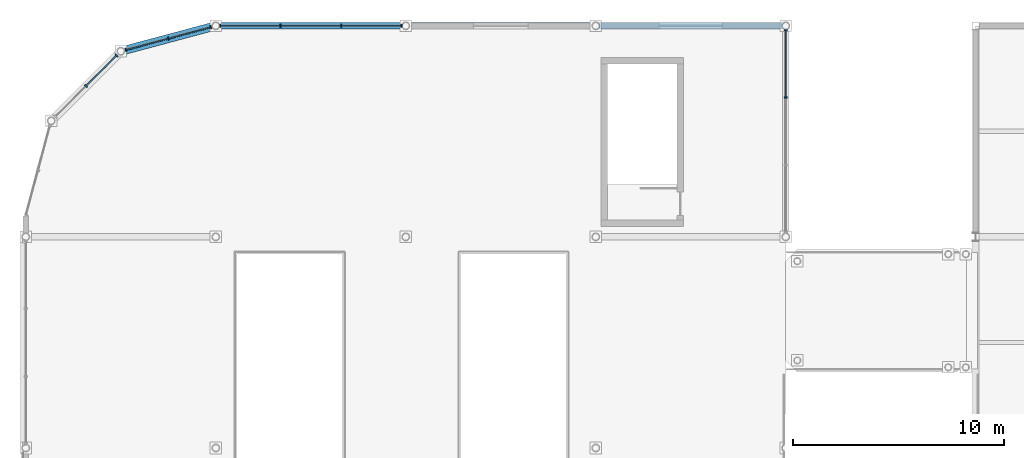
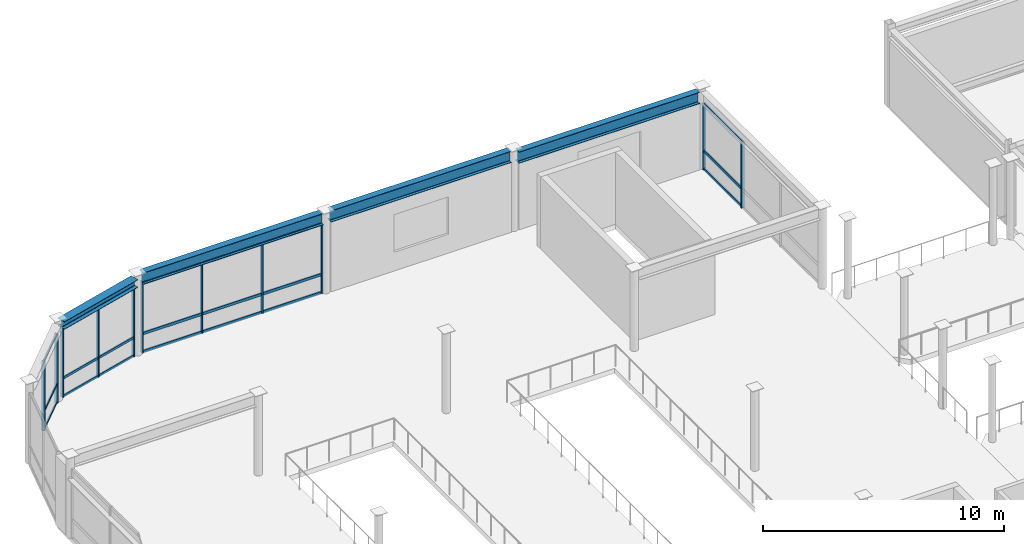
# One storey, part 24 of 53: 32 members, 4 beams, 4 elements without a shape of their own.
"""IFC4 building model written with IfcOpenShell, lengths in metres."""

from ifc_helpers import new_model, si_unit, direction, frame, origin, origin_2d, place, context, subcontext, project, spatial, rectangle, i_section, extrude, material, material_profile, profile_set, type_object, element, aggregate, save


model = new_model("IFC4")

# Units and contexts
model_context = context("Model", 3, precision=1e-05, world=origin(), true_north=direction((0.0, 1.0)))
body_context = subcontext(model_context, "Body", "Model", "MODEL_VIEW")
ifc_project = project(units=[si_unit("LENGTHUNIT", "METRE"), si_unit("AREAUNIT", "SQUARE_METRE"), si_unit("VOLUMEUNIT", "CUBIC_METRE"), si_unit("PLANEANGLEUNIT", "RADIAN"), si_unit("MASSUNIT", "GRAM", prefix="KILO")], contexts=[model_context])

# Site, building, storey
site_placement = place(None, origin())
site = spatial("IfcSite", under=ifc_project, at=site_placement, CompositionType="ELEMENT")
building_placement = place(site_placement, origin())
building = spatial("IfcBuilding", under=site, at=building_placement, Name="Suzunagisa Mobility Hub", CompositionType="ELEMENT")
storey_placement = place(building_placement, frame((0.0, 0.0, 17.699951171875)))
storey = spatial("IfcBuildingStorey", under=building, at=storey_placement, Name="L04", CompositionType="ELEMENT", Elevation=17.699951171875)

# Curtain wall, members
ifc_material_1 = material(Name="Thermally Broken Anodized Aluminum and Low-E Glazing", Category="aluminium")
curtain_wall_type_1 = type_object("IfcCurtainWallType", Name="Unitised Curtain Wall CW-05 9750x3400", PredefinedType="USERDEFINED", material=ifc_material_1)
curtain_wall_1_placement = place(storey_placement, origin())
curtain_wall_1 = element("IfcCurtainWall", 1, at=curtain_wall_1_placement, inside=storey, type_object=curtain_wall_type_1, Name="L04 Unitised Curtain Wall CW-85", ObjectType="UNITISED CURTAIN WALL", PredefinedType="USERDEFINED")
ifc_material_2 = material(Name="Anodized Aluminum 6063-T6", Category="aluminium")
ifc_material_profile_1 = material_profile(ifc_material_2, rectangle(XDim=0.06494140625, YDim=0.139892578125, at=origin_2d()), Name="TRAN-65x140")
ifc_profile_set_1 = profile_set([ifc_material_profile_1], Name="Anodized Aluminum 6063-T6")
member_type_1 = type_object("IfcMemberType", Name="Curtain Wall Framing CM-01 TRAN-65x140", PredefinedType="USERDEFINED", material=ifc_profile_set_1)
member_1_placement = place(storey_placement, frame((36.0, 114.635498046875, 0.032470703125), z_axis=(0.0, 1.0, 0.0), x_axis=(-1.0, 0.0, 0.0)))
member_1 = element("IfcMember", 2, at=member_1_placement, type_object=member_type_1, Name="Curtain Wall Transom 85-T3.1", ObjectType="TRANSOM", PredefinedType="USERDEFINED", context=body_context, shape_type="SweptSolid", body=[
    extrude(rectangle(XDim=0.06494140625, YDim=0.139892578125, at=origin_2d()), origin(), (0.0, 0.0, 1.0), 3.128662109375),
])
member_2_placement = place(storey_placement, frame((36.0, 114.635498046875, 0.949951171875), z_axis=(0.0, 1.0, 0.0), x_axis=(-1.0, 0.0, 0.0)))
member_2 = element("IfcMember", 3, at=member_2_placement, type_object=member_type_1, Name="Curtain Wall Transom 85-T3.2", ObjectType="TRANSOM", PredefinedType="USERDEFINED", context=body_context, shape_type="SweptSolid", body=[
    extrude(rectangle(XDim=0.06494140625, YDim=0.139892578125, at=origin_2d()), origin(), (0.0, 0.0, 1.0), 3.128662109375),
])
member_3_placement = place(storey_placement, frame((36.0, 114.635498046875, 3.319580078125), z_axis=(0.0, 1.0, 0.0), x_axis=(-1.0, 0.0, 0.0)))
member_3 = element("IfcMember", 4, at=member_3_placement, type_object=member_type_1, Name="Curtain Wall Transom 85-T3.3", ObjectType="TRANSOM", PredefinedType="USERDEFINED", context=body_context, shape_type="SweptSolid", body=[
    extrude(rectangle(XDim=0.06494140625, YDim=0.139892578125, at=origin_2d()), origin(), (0.0, 0.0, 1.0), 3.128662109375),
])

curtain_wall_type_2 = type_object("IfcCurtainWallType", Name="Unitised Curtain Wall CW-15 8750x3500", PredefinedType="USERDEFINED", material=ifc_material_1)
curtain_wall_2_placement = place(storey_placement, origin())
curtain_wall_2 = element("IfcCurtainWall", 5, at=curtain_wall_2_placement, inside=storey, type_object=curtain_wall_type_2, Name="L04 Unitised Curtain Wall CW-86", ObjectType="UNITISED CURTAIN WALL", PredefinedType="USERDEFINED")
member_4_placement = place(storey_placement, frame((17.76416015625, 118.0, 0.032470703125), z_axis=(-1.0, 0.0, 0.0), x_axis=(0.0, -1.0, 0.0)))
member_4 = element("IfcMember", 6, at=member_4_placement, type_object=member_type_1, Name="Curtain Wall Transom 86-T1.1", ObjectType="TRANSOM", PredefinedType="USERDEFINED", context=body_context, shape_type="SweptSolid", body=[
    extrude(rectangle(XDim=0.06494140625, YDim=0.139892578125, at=origin_2d()), origin(), (0.0, 0.0, 1.0), 2.79541015625),
])
member_5_placement = place(storey_placement, frame((17.76416015625, 118.0, 0.949951171875), z_axis=(-1.0, 0.0, 0.0), x_axis=(0.0, -1.0, 0.0)))
member_5 = element("IfcMember", 7, at=member_5_placement, type_object=member_type_1, Name="Curtain Wall Transom 86-T1.2", ObjectType="TRANSOM", PredefinedType="USERDEFINED", context=body_context, shape_type="SweptSolid", body=[
    extrude(rectangle(XDim=0.06494140625, YDim=0.139892578125, at=origin_2d()), origin(), (0.0, 0.0, 1.0), 2.79541015625),
])
member_6_placement = place(storey_placement, frame((17.76416015625, 118.0, 3.49365234375), z_axis=(-1.0, 0.0, 0.0), x_axis=(0.0, -1.0, 0.0)))
member_6 = element("IfcMember", 8, at=member_6_placement, type_object=member_type_1, Name="Curtain Wall Transom 86-T1.3", ObjectType="TRANSOM", PredefinedType="USERDEFINED", context=body_context, shape_type="SweptSolid", body=[
    extrude(rectangle(XDim=0.06494140625, YDim=0.139892578125, at=origin_2d()), origin(), (0.0, 0.0, 1.0), 2.79541015625),
])
member_7_placement = place(storey_placement, frame((14.91259765625, 118.0, 0.032470703125), z_axis=(-1.0, 0.0, 0.0), x_axis=(0.0, -1.0, 0.0)))
member_7 = element("IfcMember", 9, at=member_7_placement, type_object=member_type_1, Name="Curtain Wall Transom 86-T2.1", ObjectType="TRANSOM", PredefinedType="USERDEFINED", context=body_context, shape_type="SweptSolid", body=[
    extrude(rectangle(XDim=0.06494140625, YDim=0.139892578125, at=origin_2d()), origin(), (0.0, 0.0, 1.0), 2.8251953125),
])
member_8_placement = place(storey_placement, frame((14.91259765625, 118.0, 0.949951171875), z_axis=(-1.0, 0.0, 0.0), x_axis=(0.0, -1.0, 0.0)))
member_8 = element("IfcMember", 10, at=member_8_placement, type_object=member_type_1, Name="Curtain Wall Transom 86-T2.2", ObjectType="TRANSOM", PredefinedType="USERDEFINED", context=body_context, shape_type="SweptSolid", body=[
    extrude(rectangle(XDim=0.06494140625, YDim=0.139892578125, at=origin_2d()), origin(), (0.0, 0.0, 1.0), 2.8251953125),
])
member_9_placement = place(storey_placement, frame((14.91259765625, 118.0, 3.49365234375), z_axis=(-1.0, 0.0, 0.0), x_axis=(0.0, -1.0, 0.0)))
member_9 = element("IfcMember", 11, at=member_9_placement, type_object=member_type_1, Name="Curtain Wall Transom 86-T2.3", ObjectType="TRANSOM", PredefinedType="USERDEFINED", context=body_context, shape_type="SweptSolid", body=[
    extrude(rectangle(XDim=0.06494140625, YDim=0.139892578125, at=origin_2d()), origin(), (0.0, 0.0, 1.0), 2.8251953125),
])
member_10_placement = place(storey_placement, frame((12.03125, 118.0, 0.032470703125), z_axis=(-1.0, 0.0, 0.0), x_axis=(0.0, -1.0, 0.0)))
member_10 = element("IfcMember", 12, at=member_10_placement, type_object=member_type_1, Name="Curtain Wall Transom 86-T3.1", ObjectType="TRANSOM", PredefinedType="USERDEFINED", context=body_context, shape_type="SweptSolid", body=[
    extrude(rectangle(XDim=0.06494140625, YDim=0.139892578125, at=origin_2d()), origin(), (0.0, 0.0, 1.0), 2.79541015625),
])
member_11_placement = place(storey_placement, frame((12.03125, 118.0, 0.949951171875), z_axis=(-1.0, 0.0, 0.0), x_axis=(0.0, -1.0, 0.0)))
member_11 = element("IfcMember", 13, at=member_11_placement, type_object=member_type_1, Name="Curtain Wall Transom 86-T3.2", ObjectType="TRANSOM", PredefinedType="USERDEFINED", context=body_context, shape_type="SweptSolid", body=[
    extrude(rectangle(XDim=0.06494140625, YDim=0.139892578125, at=origin_2d()), origin(), (0.0, 0.0, 1.0), 2.79541015625),
])
member_12_placement = place(storey_placement, frame((12.03125, 118.0, 3.49365234375), z_axis=(-1.0, 0.0, 0.0), x_axis=(0.0, -1.0, 0.0)))
member_12 = element("IfcMember", 14, at=member_12_placement, type_object=member_type_1, Name="Curtain Wall Transom 86-T3.3", ObjectType="TRANSOM", PredefinedType="USERDEFINED", context=body_context, shape_type="SweptSolid", body=[
    extrude(rectangle(XDim=0.06494140625, YDim=0.139892578125, at=origin_2d()), origin(), (0.0, 0.0, 1.0), 2.79541015625),
])

curtain_wall_type_3 = type_object("IfcCurtainWallType", Name="Unitised Curtain Wall CW-24 4250x3500", PredefinedType="USERDEFINED", material=ifc_material_1)
curtain_wall_3_placement = place(storey_placement, origin())
curtain_wall_3 = element("IfcCurtainWall", 15, at=curtain_wall_3_placement, inside=storey, type_object=curtain_wall_type_3, Name="L04 Unitised Curtain Wall CW-87", ObjectType="UNITISED CURTAIN WALL", PredefinedType="USERDEFINED")
ifc_material_profile_2 = material_profile(ifc_material_2, rectangle(XDim=0.06005859375, YDim=0.1201171875, at=origin_2d()), Name="TRAN-60x120")
ifc_profile_set_2 = profile_set([ifc_material_profile_2], Name="Anodized Aluminum 6063-T6")
member_type_2 = type_object("IfcMemberType", Name="Curtain Wall Framing CM-02 TRAN-60x120", PredefinedType="USERDEFINED", material=ifc_profile_set_2)
member_13_placement = place(storey_placement, frame((8.733642578125, 117.9287109375, 0.030029296875), z_axis=(-0.965906081949, -0.258892720742, 0.0), x_axis=(0.258892720742, -0.965906081949, 0.0)))
member_13 = element("IfcMember", 16, at=member_13_placement, type_object=member_type_2, Name="Curtain Wall Transom 87-T1.1", ObjectType="TRANSOM", PredefinedType="USERDEFINED", context=body_context, shape_type="SweptSolid", body=[
    extrude(rectangle(XDim=0.06005859375, YDim=0.1201171875, at=origin_2d()), origin(), (0.0, 0.0, 1.0), 2.025634765625),
])
member_14_placement = place(storey_placement, frame((8.733642578125, 117.9287109375, 0.949951171875), z_axis=(-0.965906081949, -0.258892720742, 0.0), x_axis=(0.258892720742, -0.965906081949, 0.0)))
member_14 = element("IfcMember", 17, at=member_14_placement, type_object=member_type_2, Name="Curtain Wall Transom 87-T1.2", ObjectType="TRANSOM", PredefinedType="USERDEFINED", context=body_context, shape_type="SweptSolid", body=[
    extrude(rectangle(XDim=0.06005859375, YDim=0.1201171875, at=origin_2d()), origin(), (0.0, 0.0, 1.0), 2.025634765625),
])
member_15_placement = place(storey_placement, frame((8.733642578125, 117.9287109375, 3.510009765625), z_axis=(-0.965906081949, -0.258892720742, 0.0), x_axis=(0.258892720742, -0.965906081949, 0.0)))
member_15 = element("IfcMember", 18, at=member_15_placement, type_object=member_type_2, Name="Curtain Wall Transom 87-T1.3", ObjectType="TRANSOM", PredefinedType="USERDEFINED", context=body_context, shape_type="SweptSolid", body=[
    extrude(rectangle(XDim=0.06005859375, YDim=0.1201171875, at=origin_2d()), origin(), (0.0, 0.0, 1.0), 2.025634765625),
])
member_16_placement = place(storey_placement, frame((6.722900390625, 117.389892578125, 0.030029296875), z_axis=(-0.965906081949, -0.258892720742, 0.0), x_axis=(0.258892720742, -0.965906081949, 0.0)))
member_16 = element("IfcMember", 19, at=member_16_placement, type_object=member_type_2, Name="Curtain Wall Transom 87-T2.1", ObjectType="TRANSOM", PredefinedType="USERDEFINED", context=body_context, shape_type="SweptSolid", body=[
    extrude(rectangle(XDim=0.06005859375, YDim=0.1201171875, at=origin_2d()), origin(), (0.0, 0.0, 1.0), 2.025634765625),
])
member_17_placement = place(storey_placement, frame((6.722900390625, 117.389892578125, 0.949951171875), z_axis=(-0.965906081949, -0.258892720742, 0.0), x_axis=(0.258892720742, -0.965906081949, 0.0)))
member_17 = element("IfcMember", 20, at=member_17_placement, type_object=member_type_2, Name="Curtain Wall Transom 87-T2.2", ObjectType="TRANSOM", PredefinedType="USERDEFINED", context=body_context, shape_type="SweptSolid", body=[
    extrude(rectangle(XDim=0.06005859375, YDim=0.1201171875, at=origin_2d()), origin(), (0.0, 0.0, 1.0), 2.025634765625),
])
member_18_placement = place(storey_placement, frame((6.722900390625, 117.389892578125, 3.510009765625), z_axis=(-0.965906081949, -0.258892720742, 0.0), x_axis=(0.258892720742, -0.965906081949, 0.0)))
member_18 = element("IfcMember", 21, at=member_18_placement, type_object=member_type_2, Name="Curtain Wall Transom 87-T2.3", ObjectType="TRANSOM", PredefinedType="USERDEFINED", context=body_context, shape_type="SweptSolid", body=[
    extrude(rectangle(XDim=0.06005859375, YDim=0.1201171875, at=origin_2d()), origin(), (0.0, 0.0, 1.0), 2.025634765625),
])

curtain_wall_4_placement = place(storey_placement, origin())
curtain_wall_4 = element("IfcCurtainWall", 22, at=curtain_wall_4_placement, inside=storey, type_object=curtain_wall_type_3, Name="L04 Unitised Curtain Wall CW-88", ObjectType="UNITISED CURTAIN WALL", PredefinedType="USERDEFINED")
member_19_placement = place(storey_placement, frame((4.28125, 116.575439453125, 0.030029296875), z_axis=(-0.707106781187, -0.707106781187, 0.0), x_axis=(0.707106781187, -0.707106781187, 0.0)))
member_19 = element("IfcMember", 23, at=member_19_placement, type_object=member_type_2, Name="Curtain Wall Transom 88-T1.1", ObjectType="TRANSOM", PredefinedType="USERDEFINED", context=body_context, shape_type="SweptSolid", body=[
    extrude(rectangle(XDim=0.06005859375, YDim=0.1201171875, at=origin_2d()), origin(), (0.0, 0.0, 1.0), 1.991943359375),
])
member_20_placement = place(storey_placement, frame((4.28125, 116.575439453125, 0.949951171875), z_axis=(-0.707106781187, -0.707106781187, 0.0), x_axis=(0.707106781187, -0.707106781187, 0.0)))
member_20 = element("IfcMember", 24, at=member_20_placement, type_object=member_type_2, Name="Curtain Wall Transom 88-T1.2", ObjectType="TRANSOM", PredefinedType="USERDEFINED", context=body_context, shape_type="SweptSolid", body=[
    extrude(rectangle(XDim=0.06005859375, YDim=0.1201171875, at=origin_2d()), origin(), (0.0, 0.0, 1.0), 1.991943359375),
])
member_21_placement = place(storey_placement, frame((4.28125, 116.575439453125, 3.510009765625), z_axis=(-0.707106781187, -0.707106781187, 0.0), x_axis=(0.707106781187, -0.707106781187, 0.0)))
member_21 = element("IfcMember", 25, at=member_21_placement, type_object=member_type_2, Name="Curtain Wall Transom 88-T1.3", ObjectType="TRANSOM", PredefinedType="USERDEFINED", context=body_context, shape_type="SweptSolid", body=[
    extrude(rectangle(XDim=0.06005859375, YDim=0.1201171875, at=origin_2d()), origin(), (0.0, 0.0, 1.0), 1.991943359375),
])

# Member
ifc_material_profile_3 = material_profile(ifc_material_2, rectangle(XDim=0.06005859375, YDim=0.14990234375, at=origin_2d()), Name="MULL-60x150")
ifc_profile_set_3 = profile_set([ifc_material_profile_3], Name="Anodized Aluminum 6063-T6")
member_type_3 = type_object("IfcMemberType", Name="Curtain Wall Framing CM-03 MULL-60x150", PredefinedType="MULLION", material=ifc_profile_set_3)
member_22_placement = place(storey_placement, frame((36.0, 114.607421875, 0.0), z_axis=(0.0, 0.0, 1.0), x_axis=(0.0, 1.0, 0.0)))
member_22 = element("IfcMember", 26, at=member_22_placement, type_object=member_type_3, Name="Curtain Wall Mullion 85-M3", PredefinedType="MULLION", context=body_context, shape_type="SweptSolid", body=[
    extrude(rectangle(XDim=0.06005859375, YDim=0.14990234375, at=origin_2d()), origin(), (0.0, 0.0, 1.0), 3.35205078125),
])

member_23_placement = place(storey_placement, frame((36.0, 117.792236328125, 0.0), z_axis=(0.0, 0.0, 1.0), x_axis=(0.0, 1.0, 0.0)))
member_23 = element("IfcMember", 27, at=member_23_placement, type_object=member_type_3, Name="Curtain Wall Mullion 85-M4", PredefinedType="MULLION", context=body_context, shape_type="SweptSolid", body=[
    extrude(rectangle(XDim=0.06005859375, YDim=0.14990234375, at=origin_2d()), origin(), (0.0, 0.0, 1.0), 3.35205078125),
])

aggregate(curtain_wall_1, [member_22, member_23, member_1, member_2, member_3])

member_24_placement = place(storey_placement, frame((17.792236328125, 118.0, 0.0), z_axis=(0.0, 0.0, 1.0), x_axis=(-1.0, 0.0, 0.0)))
member_24 = element("IfcMember", 28, at=member_24_placement, type_object=member_type_3, Name="Curtain Wall Mullion 86-M1", PredefinedType="MULLION", context=body_context, shape_type="SweptSolid", body=[
    extrude(rectangle(XDim=0.06005859375, YDim=0.14990234375, at=origin_2d()), origin(), (0.0, 0.0, 1.0), 3.526123046875),
])

member_25_placement = place(storey_placement, frame((14.940673828125, 118.0, 0.0), z_axis=(0.0, 0.0, 1.0), x_axis=(-1.0, 0.0, 0.0)))
member_25 = element("IfcMember", 29, at=member_25_placement, type_object=member_type_3, Name="Curtain Wall Mullion 86-M2", PredefinedType="MULLION", context=body_context, shape_type="SweptSolid", body=[
    extrude(rectangle(XDim=0.06005859375, YDim=0.14990234375, at=origin_2d()), origin(), (0.0, 0.0, 1.0), 3.526123046875),
])

member_26_placement = place(storey_placement, frame((12.059326171875, 118.0, 0.0), z_axis=(0.0, 0.0, 1.0), x_axis=(-1.0, 0.0, 0.0)))
member_26 = element("IfcMember", 30, at=member_26_placement, type_object=member_type_3, Name="Curtain Wall Mullion 86-M3", PredefinedType="MULLION", context=body_context, shape_type="SweptSolid", body=[
    extrude(rectangle(XDim=0.06005859375, YDim=0.14990234375, at=origin_2d()), origin(), (0.0, 0.0, 1.0), 3.526123046875),
])

member_27_placement = place(storey_placement, frame((9.207763671875, 118.0, 0.0), z_axis=(0.0, 0.0, 1.0), x_axis=(-1.0, 0.0, 0.0)))
member_27 = element("IfcMember", 31, at=member_27_placement, type_object=member_type_3, Name="Curtain Wall Mullion 86-M4", PredefinedType="MULLION", context=body_context, shape_type="SweptSolid", body=[
    extrude(rectangle(XDim=0.06005859375, YDim=0.14990234375, at=origin_2d()), origin(), (0.0, 0.0, 1.0), 3.526123046875),
])

aggregate(curtain_wall_2, [member_24, member_25, member_26, member_27, member_4, member_5, member_6, member_7, member_8, member_9, member_10, member_11, member_12])

member_28_placement = place(storey_placement, frame((8.7607421875, 117.935791015625, 0.0), z_axis=(0.0, 0.0, 1.0), x_axis=(-0.965930084429, -0.258803152984, 0.0)))
member_28 = element("IfcMember", 32, at=member_28_placement, type_object=member_type_3, Name="Curtain Wall Mullion 87-M1", PredefinedType="MULLION", context=body_context, shape_type="SweptSolid", body=[
    extrude(rectangle(XDim=0.06005859375, YDim=0.14990234375, at=origin_2d()), origin(), (0.0, 0.0, 1.0), 3.5400390625),
])

member_29_placement = place(storey_placement, frame((6.75, 117.397216796875, 0.0), z_axis=(0.0, 0.0, 1.0), x_axis=(-0.965930084429, -0.258803152984, 0.0)))
member_29 = element("IfcMember", 33, at=member_29_placement, type_object=member_type_3, Name="Curtain Wall Mullion 87-M2", PredefinedType="MULLION", context=body_context, shape_type="SweptSolid", body=[
    extrude(rectangle(XDim=0.06005859375, YDim=0.14990234375, at=origin_2d()), origin(), (0.0, 0.0, 1.0), 3.5400390625),
])

member_30_placement = place(storey_placement, frame((4.7392578125, 116.8583984375, 0.0), z_axis=(0.0, 0.0, 1.0), x_axis=(-0.965930084429, -0.258803152984, 0.0)))
member_30 = element("IfcMember", 34, at=member_30_placement, type_object=member_type_3, Name="Curtain Wall Mullion 87-M3", PredefinedType="MULLION", context=body_context, shape_type="SweptSolid", body=[
    extrude(rectangle(XDim=0.06005859375, YDim=0.14990234375, at=origin_2d()), origin(), (0.0, 0.0, 1.0), 3.5400390625),
])

aggregate(curtain_wall_3, [member_28, member_29, member_30, member_13, member_14, member_15, member_16, member_17, member_18])

member_31_placement = place(storey_placement, frame((4.301025390625, 116.59521484375, 0.0), z_axis=(0.0, 0.0, 1.0), x_axis=(-0.707106781187, -0.707106781187, 0.0)))
member_31 = element("IfcMember", 35, at=member_31_placement, type_object=member_type_3, Name="Curtain Wall Mullion 88-M1", PredefinedType="MULLION", context=body_context, shape_type="SweptSolid", body=[
    extrude(rectangle(XDim=0.06005859375, YDim=0.14990234375, at=origin_2d()), origin(), (0.0, 0.0, 1.0), 3.5400390625),
])

member_32_placement = place(storey_placement, frame((2.852783203125, 115.147216796875, 0.0), z_axis=(0.0, 0.0, 1.0), x_axis=(-0.707106781187, -0.707106781187, 0.0)))
member_32 = element("IfcMember", 36, at=member_32_placement, type_object=member_type_3, Name="Curtain Wall Mullion 88-M2", PredefinedType="MULLION", context=body_context, shape_type="SweptSolid", body=[
    extrude(rectangle(XDim=0.06005859375, YDim=0.14990234375, at=origin_2d()), origin(), (0.0, 0.0, 1.0), 3.5400390625),
])

aggregate(curtain_wall_4, [member_31, member_32, member_19, member_20, member_21])

# Beams
ifc_material_3 = material(Name="Steel SN490B", Category="steel")
ifc_material_profile_4 = material_profile(ifc_material_3, i_section(OverallWidth=0.39990234375, OverallDepth=0.39990234375, WebThickness=0.012939453125, FlangeThickness=0.02099609375, FilletRadius=0.01611328125, at=origin_2d()), Name="H-400x400x13x21")
ifc_profile_set_4 = profile_set([ifc_material_profile_4], Name="Steel SN490B")
beam_type_1 = type_object("IfcBeamType", Name="Steel Beam BM-12 H-400x400x13x21", PredefinedType="SPANDREL", material=ifc_profile_set_4)
beam_1_placement = place(storey_placement, frame((8.828369140625, 117.9541015625, 3.739990234375), z_axis=(-0.965913102345, -0.258866526841, 0.0), x_axis=(0.258866526841, -0.965913102345, 0.0)))
element("IfcBeam", 37, at=beam_1_placement, inside=storey, type_object=beam_type_1, Name="L04 Ramp Drum Corner Prow Spandrel 2266", PredefinedType="SPANDREL", context=body_context, shape_type="SweptSolid", body=[
    extrude(i_section(OverallWidth=0.39990234375, OverallDepth=0.39990234375, WebThickness=0.012939453125, FlangeThickness=0.02099609375, FilletRadius=0.01611328125, at=origin_2d()), origin(), (0.0, 0.0, 1.0), 4.303466796875),
])
ifc_material_profile_5 = material_profile(ifc_material_3, i_section(OverallWidth=0.300048828125, OverallDepth=0.587890625, WebThickness=0.011962890625, FlangeThickness=0.02001953125, FilletRadius=0.012939453125, at=origin_2d()), Name="H-588x300x12x20")
ifc_profile_set_5 = profile_set([ifc_material_profile_5], Name="Steel SN490B")
beam_type_2 = type_object("IfcBeamType", Name="Steel Beam BM-16 H-588x300x12x20", PredefinedType="BEAM", material=ifc_profile_set_5)
for number, where, z_axis, x_axis, name in (
    (38, (9.179931640625, 118.0, 3.820068359375), (1.0, 0.0, 0.0), (0.0, 1.0, 0.0), "L04 Ramp Drum Eave Girder 2251"),
    (39, (18.179931640625, 118.0, 3.820068359375), (1.0, 0.0, 0.0), (0.0, 1.0, 0.0), "L04 Ramp Drum Eave Girder 2252"),
):
    element("IfcBeam", number, at=place(storey_placement, frame(where, z_axis=z_axis, x_axis=x_axis)), inside=storey, type_object=beam_type_2, Name=name, PredefinedType="BEAM", context=body_context, shape_type="SweptSolid", body=[
        extrude(i_section(OverallWidth=0.300048828125, OverallDepth=0.587890625, WebThickness=0.011962890625, FlangeThickness=0.02001953125, FilletRadius=0.012939453125, at=origin_2d()), origin(), (0.0, 0.0, 1.0), 8.64013671875),
    ])
beam_2_placement = place(storey_placement, frame((27.173828125, 118.0, 3.64599609375), z_axis=(1.0, 0.0, 0.0), x_axis=(0.0, 1.0, 0.0)))
element("IfcBeam", 40, at=beam_2_placement, inside=storey, type_object=beam_type_2, Name="L04 Ramp Drum Rim Girder 2268", PredefinedType="BEAM", context=body_context, shape_type="SweptSolid", body=[
    extrude(i_section(OverallWidth=0.300048828125, OverallDepth=0.587890625, WebThickness=0.011962890625, FlangeThickness=0.02001953125, FilletRadius=0.012939453125, at=origin_2d()), origin(), (0.0, 0.0, 1.0), 8.65234375),
])

save(model, "model.ifc")
